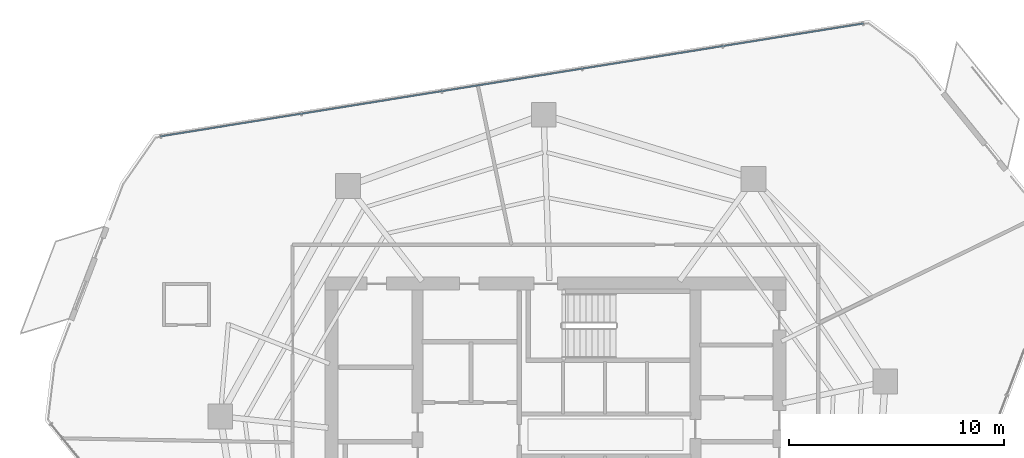
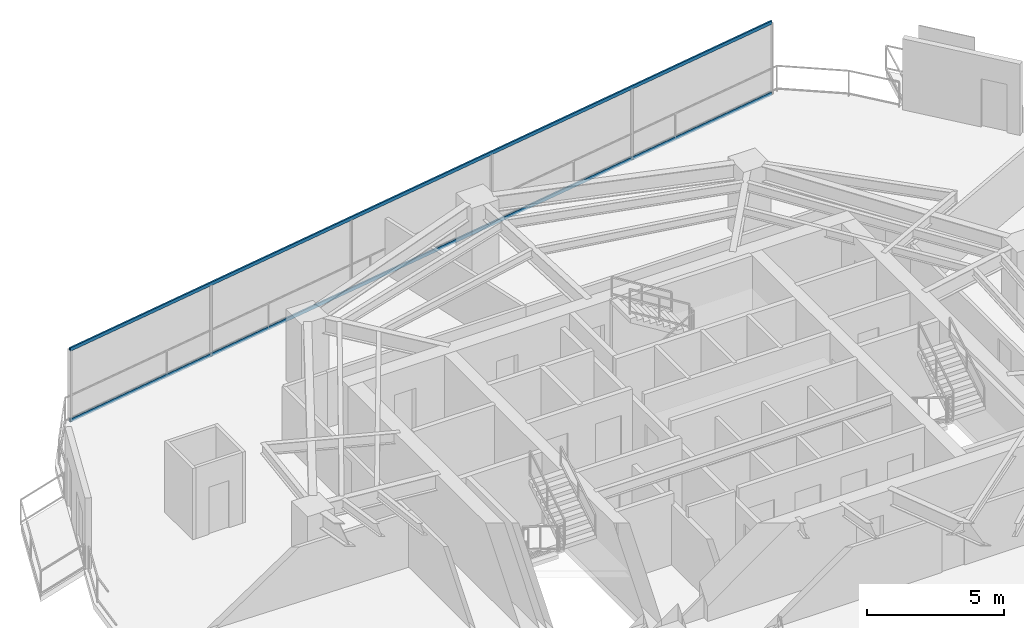
# One storey, part 19 of 27: 2 members, 1 element without a shape of its own.
"""IFC4 building model written with IfcOpenShell, lengths in metres."""

import ifcopenshell
import ifcopenshell.guid

model = None  # the IFC model being written
_history = None  # IfcOwnerHistory: only IFC2X3 demands one
_inside = {}  # id of a spatial element -> (the spatial element, [elements in it])
_under = {}  # id of a project, library or spatial element -> (it, [spatial elements below it])
_declared = {}  # id of a project -> (the project, [libraries it declares])
_typed = {}  # id of a type object -> (the type object, [elements of that type])
_made_of = {}  # id of a material, layer set ... -> (it, [elements and type objects made of it])


def new_model(schema):
    """Start an empty IFC model of exactly this schema.

    Asked for "IFC4X3", IfcOpenShell would pick the latest addendum, in which some entities
    have other attributes; the version numbers below select the first issue.
    IFC2X3 requires an IfcOwnerHistory on every rooted entity: one is made here for all.
    """
    global model, _history
    if schema == "IFC4X3":
        model = ifcopenshell.file(schema_version=(4, 3, 0, 0))
    else:
        model = ifcopenshell.file(schema=schema)
    _inside.clear()
    _under.clear()
    _declared.clear()
    _typed.clear()
    _made_of.clear()
    _history = None
    if model.schema == "IFC2X3":
        org = make("IfcOrganization", Name="unknown")
        user = make(
            "IfcPersonAndOrganization",
            ThePerson=make("IfcPerson", FamilyName="unknown"),
            TheOrganization=org,
        )
        app = make(
            "IfcApplication",
            ApplicationDeveloper=org,
            Version="unknown",
            ApplicationFullName="unknown",
            ApplicationIdentifier="unknown",
        )
        _history = make(
            "IfcOwnerHistory",
            OwningUser=user,
            OwningApplication=app,
            ChangeAction="ADDED",
            CreationDate=0,
        )
    return model


def make(cls, **values):
    """One entity of the class cls with the attributes given. An attribute that is None is left unset."""
    return model.create_entity(
        cls, **{name: value for name, value in values.items() if value is not None}
    )


def rooted(cls, **values):
    """An entity with a GlobalId (a new one), such as an element, a storey or a relation."""
    return make(cls, GlobalId=ifcopenshell.guid.new(), OwnerHistory=_history, **values)


def si_unit(unit_type, name, prefix=None):
    """IfcSIUnit, for example si_unit("LENGTHUNIT", "METRE", prefix="MILLI")."""
    return make("IfcSIUnit", UnitType=unit_type, Prefix=prefix, Name=name)


def assignment(units):
    """IfcUnitAssignment: the units of a project."""
    return None if units is None else make("IfcUnitAssignment", Units=units)


def point(xyz):
    """IfcCartesianPoint."""
    return None if xyz is None else make("IfcCartesianPoint", Coordinates=xyz)


def direction(xyz):
    """IfcDirection."""
    return None if xyz is None else make("IfcDirection", DirectionRatios=xyz)


def frame(location, z_axis=None, x_axis=None):
    """IfcAxis2Placement3D, a coordinate frame: its origin and axes. An axis left out is left unset."""
    return make(
        "IfcAxis2Placement3D",
        Location=point(location),
        Axis=direction(z_axis),
        RefDirection=direction(x_axis),
    )


def frame_2d(location, x_axis=None):
    """IfcAxis2Placement2D, a coordinate frame in the plane: its origin and x axis."""
    return make(
        "IfcAxis2Placement2D", Location=point(location), RefDirection=direction(x_axis)
    )


def origin():
    """The frame at (0, 0, 0) with its axes left unset."""
    return frame((0.0, 0.0, 0.0))


def origin_2d():
    """The frame at (0, 0) in the plane with its x axis left unset."""
    return frame_2d((0.0, 0.0))


def place(relative_to, where):
    """IfcLocalPlacement: puts the frame where relative to a parent placement (None: the world)."""
    return make(
        "IfcLocalPlacement", PlacementRelTo=relative_to, RelativePlacement=where
    )


def context(
    kind, dimensions, precision=None, world=None, true_north=None, identifier=None
):
    """IfcGeometricRepresentationContext, for example the 3D "Model" context."""
    return make(
        "IfcGeometricRepresentationContext",
        ContextIdentifier=identifier,
        ContextType=kind,
        CoordinateSpaceDimension=dimensions,
        Precision=precision,
        WorldCoordinateSystem=world,
        TrueNorth=true_north,
    )


def subcontext(parent, identifier, kind, view, scale=None):
    """IfcGeometricRepresentationSubContext, for example "Body" below "Model"."""
    return make(
        "IfcGeometricRepresentationSubContext",
        ContextIdentifier=identifier,
        ContextType=kind,
        ParentContext=parent,
        TargetScale=scale,
        TargetView=view,
    )


def project(units=None, contexts=None):
    """IfcProject with its units and contexts."""
    return rooted(
        "IfcProject",
        Name="project",
        RepresentationContexts=contexts,
        UnitsInContext=assignment(units),
    )


def spatial(cls, under=None, at=None, **own):
    """A site, building, storey or space (cls), placed at a placement, below another one or the project."""
    s = rooted(cls, ObjectPlacement=at, **own)
    if under is not None:
        _under.setdefault(under.id(), (under, []))[1].append(s)
    return s


def profile(cls, at=None, kind="AREA", **sizes):
    """A parametric profile (cls). Its sizes go by their IFC names, for example OverallWidth=200.0."""
    return make(cls, ProfileType=kind, Position=at, **sizes)


def hollow_rectangle(**sizes):
    """IfcRectangleHollowProfileDef."""
    return profile("IfcRectangleHollowProfileDef", **sizes)


def extrude(swept, where, along, depth):
    """IfcExtrudedAreaSolid: the profile swept, set in the frame where, extruded along a direction by depth."""
    return make(
        "IfcExtrudedAreaSolid",
        SweptArea=swept,
        Position=where,
        ExtrudedDirection=direction(along),
        Depth=depth,
    )


def shape(context_of_items, identifier, shape_type, items):
    """IfcShapeRepresentation: the items that make up one representation, for example the "Body"."""
    return make(
        "IfcShapeRepresentation",
        ContextOfItems=context_of_items,
        RepresentationIdentifier=identifier,
        RepresentationType=shape_type,
        Items=items,
    )


def material(Name=None, Category=None):
    """IfcMaterial."""
    return make("IfcMaterial", Name=Name, Category=Category)


def layer(
    of_material, thickness, ventilated=None, Name=None, Category=None, Priority=None
):
    """IfcMaterialLayer: one layer of a wall or slab, of a material (None: an air gap)."""
    return make(
        "IfcMaterialLayer",
        Material=of_material,
        LayerThickness=thickness,
        IsVentilated=ventilated,
        Name=Name,
        Category=Category,
        Priority=Priority,
    )


def layer_set(layers, Name=None):
    """IfcMaterialLayerSet."""
    return make("IfcMaterialLayerSet", MaterialLayers=layers, LayerSetName=Name)


def material_profile(
    of_material, cross_section, Name=None, Category=None, Priority=None
):
    """IfcMaterialProfile: a cross section and its material."""
    return make(
        "IfcMaterialProfile",
        Name=Name,
        Material=of_material,
        Profile=cross_section,
        Priority=Priority,
        Category=Category,
    )


def profile_set(profiles, Name=None, composite=None):
    """IfcMaterialProfileSet."""
    return make(
        "IfcMaterialProfileSet",
        Name=Name,
        MaterialProfiles=profiles,
        CompositeProfile=composite,
    )


def made_of(thing, what):
    """Note that an element or type object is made of a material, layer set ...; save() writes the relation."""
    if what is not None:
        _made_of.setdefault(what.id(), (what, []))[1].append(thing)
    return thing


def type_object(cls, material=None, **own):
    """A type object (cls), such as IfcWallType, which elements share."""
    return made_of(rooted(cls, **own), material)


def element(
    cls,
    number,
    at=None,
    inside=None,
    cuts=None,
    type_object=None,
    material=None,
    context=None,
    identifier="Body",
    shape_type=None,
    held_by="IfcProductDefinitionShape",
    body=None,
    shapes=None,
    **own,
):
    """One element of the class cls, such as IfcWall. Its Tag is "e" and its number.

    at: its placement. inside: the storey or other place that contains it. cuts: it is an
    opening in that element (IfcRelVoidsElement). A single representation is given by context,
    identifier, shape_type and body (its items); several are given by shapes. held_by: the class
    of the entity that holds the representations. save() writes the other relations.
    """
    e = rooted(cls, Tag="e%d" % number, ObjectPlacement=at, **own)
    if body is not None:
        shapes = [shape(context, identifier, shape_type, body)]
    if shapes is not None:
        e.Representation = make(held_by, Representations=shapes)
    if inside is not None:
        _inside.setdefault(inside.id(), (inside, []))[1].append(e)
    if cuts is not None:
        rooted(
            "IfcRelVoidsElement", RelatingBuildingElement=cuts, RelatedOpeningElement=e
        )
    if type_object is not None:
        _typed.setdefault(type_object.id(), (type_object, []))[1].append(e)
    return made_of(e, material)


def aggregate(whole, parts):
    """IfcRelAggregates: a whole, such as a stair, and the parts it consists of."""
    return rooted("IfcRelAggregates", RelatingObject=whole, RelatedObjects=parts)


def save(model, path):
    """Write the relations noted so far, then the file.

    IfcRelAggregates (storeys below a building ...), IfcRelContainedInSpatialStructure (elements
    in a storey), IfcRelDefinesByType, IfcRelAssociatesMaterial and IfcRelDeclares: one each for
    every whole, place, type object, material and project.
    """
    for whole, parts in _under.values():
        aggregate(whole, parts)
    for where, things in _inside.values():
        rooted(
            "IfcRelContainedInSpatialStructure",
            RelatedElements=things,
            RelatingStructure=where,
        )
    for kind, things in _typed.values():
        rooted("IfcRelDefinesByType", RelatedObjects=things, RelatingType=kind)
    for what, things in _made_of.values():
        rooted("IfcRelAssociatesMaterial", RelatedObjects=things, RelatingMaterial=what)
    for by, libraries in _declared.values():
        rooted("IfcRelDeclares", RelatingContext=by, RelatedDefinitions=libraries)
    model.write(path)


model = new_model("IFC4")

# Units and contexts
model_context = context("Model", 3, precision=1e-05, world=origin(), true_north=direction((0.0, 1.0)))
body_context = subcontext(model_context, "Body", "Model", "MODEL_VIEW")
ifc_project = project(units=[si_unit("LENGTHUNIT", "METRE"), si_unit("AREAUNIT", "SQUARE_METRE"), si_unit("VOLUMEUNIT", "CUBIC_METRE"), si_unit("PLANEANGLEUNIT", "RADIAN"), si_unit("MASSUNIT", "GRAM", prefix="KILO")], contexts=[model_context])

# Site, building, storey
site_placement = place(None, origin())
site = spatial("IfcSite", under=ifc_project, at=site_placement, CompositionType="ELEMENT")
building_placement = place(site_placement, origin())
building = spatial("IfcBuilding", under=site, at=building_placement, Name="Qarnah Convention Tower", CompositionType="ELEMENT")
storey_placement = place(building_placement, frame((0.0, 0.0, 100.5)))
storey = spatial("IfcBuildingStorey", under=building, at=storey_placement, Name="L26", CompositionType="ELEMENT", Elevation=100.5)

# Curtain wall, members
ifc_material_1 = material(Name="Tempered Low-E dark glass", Category="glass")
ifc_layer = layer(ifc_material_1, 0.169921875)
ifc_layer_set = layer_set([ifc_layer], Name="Tempered Low-E dark glass")
curtain_wall_type = type_object("IfcCurtainWallType", Name="CWS-02", PredefinedType="NOTDEFINED", material=ifc_layer_set)
curtain_wall_placement = place(storey_placement, origin())
curtain_wall = element("IfcCurtainWall", 1, at=curtain_wall_placement, inside=storey, type_object=curtain_wall_type, Name="L26 unitised curtain wall CW-L26-F3", PredefinedType="NOTDEFINED")
ifc_material_2 = material(Name="Black anodised aluminium", Category="aluminium")
ifc_material_profile = material_profile(ifc_material_2, hollow_rectangle(XDim=0.06494140625, YDim=0.14990234375, WallThickness=0.00390625, at=origin_2d()), Name="TRN-65X150")
ifc_profile_set = profile_set([ifc_material_profile], Name="Black anodised aluminium")
member_type = type_object("IfcMemberType", Name="TRN-T2", PredefinedType="USERDEFINED", material=ifc_profile_set)
member_1_placement = place(storey_placement, frame((18.8740234375, 41.035888671875, 0.0), z_axis=(0.987356984425, 0.15851241373, 0.0), x_axis=(-0.15851241373, 0.987356984425, 0.0)))
member_1 = element("IfcMember", 2, at=member_1_placement, type_object=member_type, Name="CW-L26-F3 transom 1", ObjectType="TRANSOM", PredefinedType="USERDEFINED", context=body_context, shape_type="SweptSolid", body=[
    extrude(hollow_rectangle(XDim=0.06494140625, YDim=0.14990234375, WallThickness=0.00390625, at=origin_2d()), origin(), (0.0, 0.0, 1.0), 33.038818359375),
])
member_2_placement = place(storey_placement, frame((18.8740234375, 41.035888671875, 3.169921875), z_axis=(0.987356984425, 0.15851241373, 0.0), x_axis=(-0.15851241373, 0.987356984425, 0.0)))
member_2 = element("IfcMember", 3, at=member_2_placement, type_object=member_type, Name="CW-L26-F3 transom 2", ObjectType="TRANSOM", PredefinedType="USERDEFINED", context=body_context, shape_type="SweptSolid", body=[
    extrude(hollow_rectangle(XDim=0.06494140625, YDim=0.14990234375, WallThickness=0.00390625, at=origin_2d()), origin(), (0.0, 0.0, 1.0), 33.038818359375),
])
aggregate(curtain_wall, [member_1, member_2])

save(model, "model.ifc")
